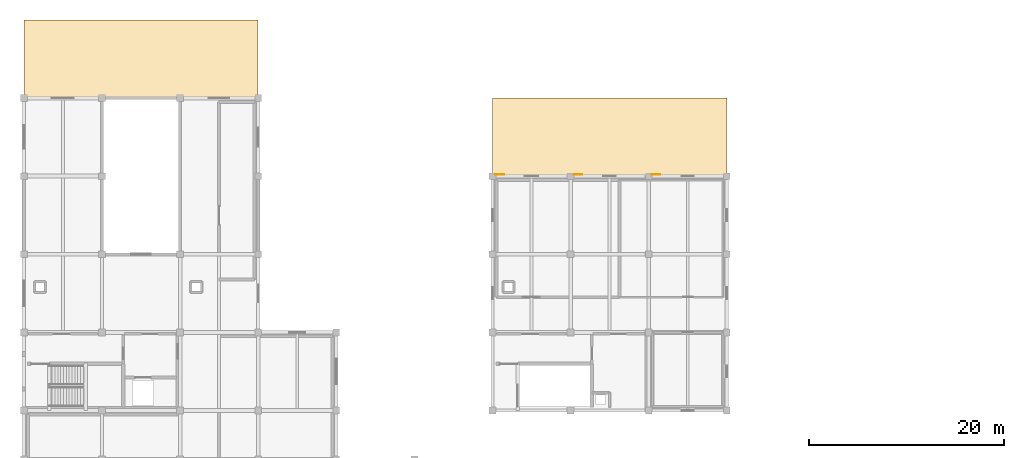
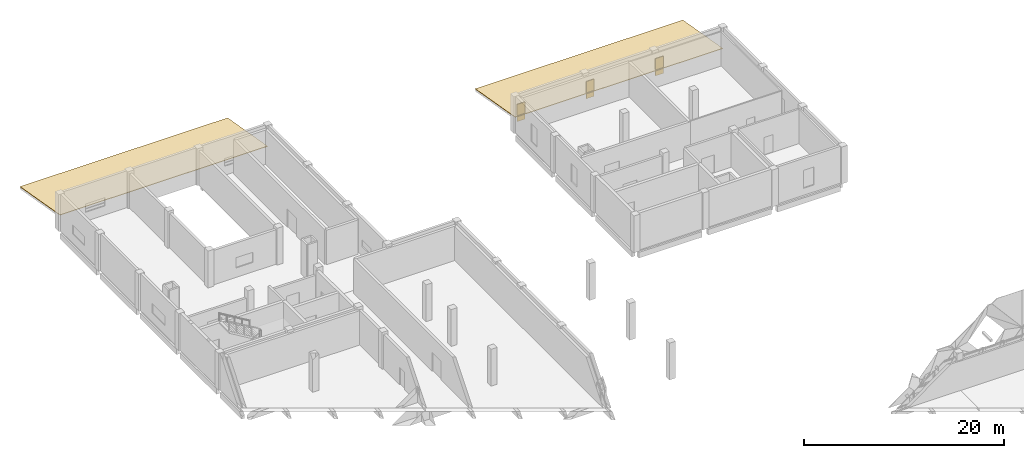
# One storey, part 36 of 37: 3 shading devices, 2 coverings.
"""IFC4 building model written with IfcOpenShell, lengths in metres."""

from ifc_helpers import new_model, si_unit, direction, frame, origin, origin_2d, place, context, subcontext, project, spatial, polyline, rectangle, outline, extrude, material, layer, layer_set, type_object, element, save


model = new_model("IFC4")

# Units and contexts
model_context = context("Model", 3, precision=1e-05, world=origin(), true_north=direction((0.0, 1.0)))
body_context = subcontext(model_context, "Body", "Model", "MODEL_VIEW")
ifc_project = project(units=[si_unit("LENGTHUNIT", "METRE"), si_unit("AREAUNIT", "SQUARE_METRE"), si_unit("VOLUMEUNIT", "CUBIC_METRE"), si_unit("PLANEANGLEUNIT", "RADIAN"), si_unit("MASSUNIT", "GRAM", prefix="KILO")], contexts=[model_context])

# Site, building, storey
site_placement = place(None, origin())
site = spatial("IfcSite", under=ifc_project, at=site_placement, CompositionType="ELEMENT")
building_placement = place(site_placement, origin())
building = spatial("IfcBuilding", under=site, at=building_placement, Name="Qorikala Patio Media Centre", CompositionType="ELEMENT")
storey_placement = place(building_placement, frame((0.0, 0.0, 14.39990234375)))
storey = spatial("IfcBuildingStorey", under=building, at=storey_placement, Name="L03", CompositionType="ELEMENT", Elevation=14.39990234375)

# Coverings
ifc_material_1 = material(Name="Spanish Terracotta Clay Tile", Category="masonry")
ifc_layer_1 = layer(ifc_material_1, 0.054931640625)
ifc_layer_set_1 = layer_set([ifc_layer_1], Name="Spanish Terracotta Clay Tile")
covering_type = type_object("IfcCoveringType", Name="COV-ROOF-TILE", PredefinedType="ROOFING", material=ifc_layer_set_1)
for number, where, z_axis, x_axis, name in (
    (1, (3.0, 104.0, 0.320068359375), (0.0, 0.171201595869, 0.985236019222), (1.0, 0.0, 0.0), "L03 Terracotta Clay-Tile Loggia Roof RF-LOG-V4-L3"),
    (2, (51.0, 96.0, 0.320068359375), (0.0, 0.171201595869, 0.985236019222), (1.0, 0.0, 0.0), "L03 Terracotta Clay-Tile Loggia Roof RF-LOG-V5-L3"),
):
    element("IfcCovering", number, at=place(storey_placement, frame(where, z_axis=z_axis, x_axis=x_axis)), inside=storey, type_object=covering_type, Name=name, PredefinedType="ROOFING", context=body_context, shape_type="SweptSolid", body=[
        extrude(outline(polyline([(0.0, 0.0), (24.0, 0.0), (24.0, -8.119881778500043), (0.0, -8.119881778500043), (0.0, 0.0)])), origin(), (0.0, 0.0, -1.0), 0.054931640625),
    ])

# Shading devices
ifc_material_2 = material(Name="Golden Bronze Anodised Aluminium", Category="aluminium")
ifc_layer_2 = layer(ifc_material_2, 0.06005859375)
ifc_layer_set_2 = layer_set([ifc_layer_2], Name="Golden Bronze Anodised Aluminium")
shading_device_type = type_object("IfcShadingDeviceType", Name="SHD-SHUTTER", PredefinedType="SHUTTER", material=ifc_layer_set_2)
for number, where, z_axis, x_axis, name in (
    (3, (51.75, 88.1650390625, 0.949951171875), (0.0, 0.0, 1.0), (1.0, 0.0, 0.0), "L03 Colonial Bronze Sun Shutter 016"),
    (4, (59.75, 88.1650390625, 0.949951171875), (0.0, 0.0, 1.0), (1.0, 0.0, 0.0), "L03 Colonial Bronze Sun Shutter 017"),
    (5, (67.75, 88.1650390625, 0.949951171875), (0.0, 0.0, 1.0), (1.0, 0.0, 0.0), "L03 Colonial Bronze Sun Shutter 018"),
):
    element("IfcShadingDevice", number, at=place(storey_placement, frame(where, z_axis=z_axis, x_axis=x_axis)), inside=storey, type_object=shading_device_type, Name=name, PredefinedType="SHUTTER", context=body_context, shape_type="SweptSolid", body=[
        extrude(rectangle(XDim=0.89990234375, YDim=0.06005859375, at=origin_2d()), origin(), (0.0, 0.0, 1.0), 2.10009765625),
    ])

save(model, "model.ifc")
